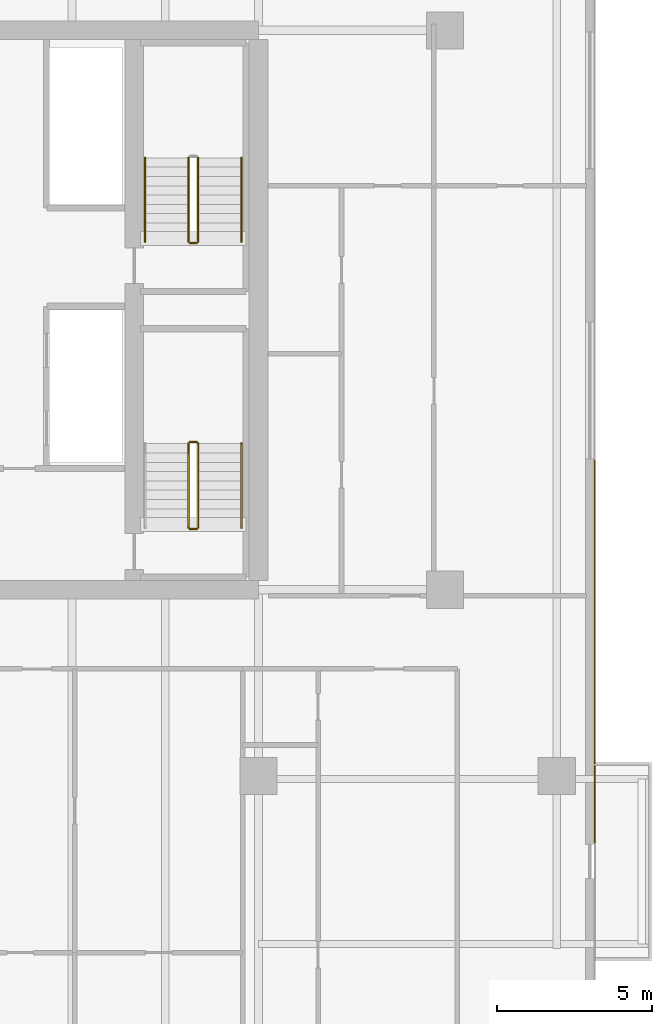
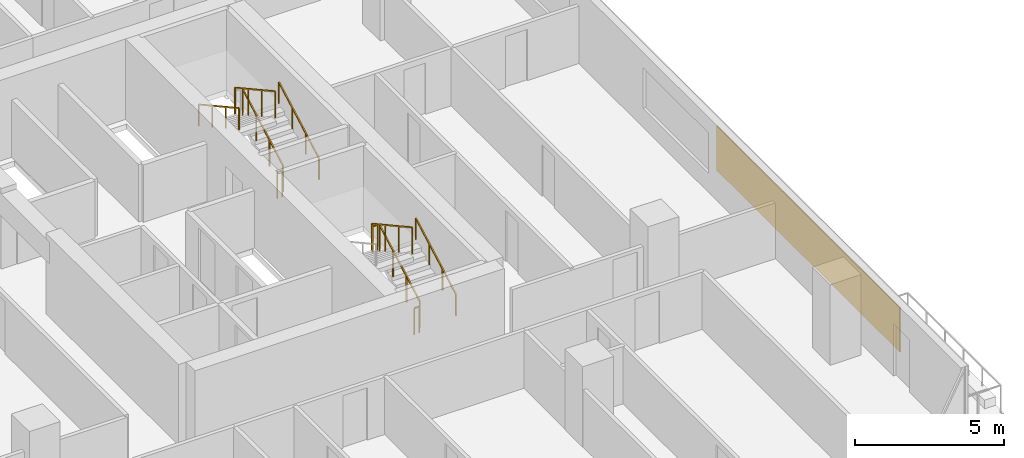
# One storey, part 31 of 33: 10 railings, 1 covering.
"""IFC4 building model written with IfcOpenShell, lengths in metres."""

from ifc_helpers import new_model, si_unit, direction, frame, origin, origin_2d, place, context, subcontext, project, spatial, rectangle, extrude, material, layer, layer_set, type_object, element, save


model = new_model("IFC4")

# Units and contexts
model_context = context("Model", 3, precision=1e-05, world=origin(), true_north=direction((0.0, 1.0)))
body_context = subcontext(model_context, "Body", "Model", "MODEL_VIEW")
ifc_project = project(units=[si_unit("LENGTHUNIT", "METRE"), si_unit("AREAUNIT", "SQUARE_METRE"), si_unit("VOLUMEUNIT", "CUBIC_METRE"), si_unit("PLANEANGLEUNIT", "RADIAN"), si_unit("MASSUNIT", "GRAM", prefix="KILO")], contexts=[model_context])

# Site, building, storey
site_placement = place(None, origin())
site = spatial("IfcSite", under=ifc_project, at=site_placement, CompositionType="ELEMENT")
building_placement = place(site_placement, origin())
building = spatial("IfcBuilding", under=site, at=building_placement, Name="Tanjung Sevakor Pilgrim Tower", CompositionType="ELEMENT")
storey_placement = place(building_placement, frame((0.0, 0.0, 32.340087890625)))
storey = spatial("IfcBuildingStorey", under=building, at=storey_placement, Name="L08", CompositionType="ELEMENT", Elevation=32.340087890625)

# Covering
ifc_material_1 = material(Name="Reconstructed Limestone Cladding", Category="masonry")
ifc_layer = layer(ifc_material_1, 0.044921875)
ifc_layer_set = layer_set([ifc_layer], Name="COV-CLAD-LIMESTONE")
covering_type = type_object("IfcCoveringType", Name="COV-CLAD-LIMESTONE", PredefinedType="CLADDING", material=ifc_layer_set)
covering_placement = place(storey_placement, frame((100.822509765625, 22.60498046875, 0.849853515625), z_axis=(0.0, 0.0, 1.0), x_axis=(0.0, 1.0, 0.0)))
element("IfcCovering", 1, at=covering_placement, inside=storey, type_object=covering_type, Name="L08 Warm Limestone Pier Panel EW-L08-MAIN-7-1", PredefinedType="CLADDING", context=body_context, shape_type="SweptSolid", body=[
    extrude(rectangle(XDim=12.31005859375, YDim=0.044921875, at=origin_2d()), origin(), (0.0, 0.0, 1.0), 1.81005859375),
])

# Railings
ifc_material_2 = material(Name="Steel S355J2", Category="steel")
railing_type_1 = type_object("IfcRailingType", Name="RL-STAIR-GUARD", PredefinedType="GUARDRAIL", material=ifc_material_2)
railing_1_placement = place(storey_placement, frame((88.050048828125, 26.60009765625, 0.164794921875)))
element("IfcRailing", 2, at=railing_1_placement, inside=storey, type_object=railing_type_1, Name="L08 TS-E1 stair guard 1", PredefinedType="GUARDRAIL", context=body_context, shape_type="SweptSolid", body=[
    extrude(rectangle(XDim=0.0479, YDim=0.0479), frame((0.0, 0.0, 1.076171875), z_axis=(0.0, 0.876197507361, 0.481952205197), x_axis=(-1.0, 0.0, 0.0)), (0.0, 0.0, 1.0), 3.08154296875),
    extrude(rectangle(XDim=0.042, YDim=0.042), origin(), (0.0, 0.0, 1.0), 1.052001953125),
    extrude(rectangle(XDim=0.042, YDim=0.042), frame((0.0, 0.89990234375, 0.4951171875)), (0.0, 0.0, 1.0), 1.052001953125),
    extrude(rectangle(XDim=0.042, YDim=0.042), frame((0.0, 1.800048828125, 0.989990234375)), (0.0, 0.0, 1.0), 1.052001953125),
    extrude(rectangle(XDim=0.042, YDim=0.042), frame((0.0, 2.699951171875, 1.485107421875)), (0.0, 0.0, 1.0), 1.052001953125),
])
railing_2_placement = place(storey_placement, frame((88.0, 29.35009765625, 1.64990234375)))
element("IfcRailing", 3, at=railing_2_placement, inside=storey, type_object=railing_type_1, Name="L08 TS-E1 stair guard 2", PredefinedType="GUARDRAIL", context=body_context, shape_type="SweptSolid", body=[
    extrude(rectangle(XDim=0.0479, YDim=0.0479), frame((0.0, 0.0, 1.076171875), z_axis=(-1.0, 0.0, 0.0), x_axis=(0.0, -1.0, 0.0)), (0.0, 0.0, 1.0), 0.199951171875),
    extrude(rectangle(XDim=0.042, YDim=0.042), origin(), (0.0, 0.0, 1.0), 1.052001953125),
    extrude(rectangle(XDim=0.042, YDim=0.042), frame((-0.199951171875, 0.0, 0.0)), (0.0, 0.0, 1.0), 1.052001953125),
])
railing_3_placement = place(storey_placement, frame((87.75, 29.300048828125, 1.81494140625)))
element("IfcRailing", 4, at=railing_3_placement, inside=storey, type_object=railing_type_1, Name="L08 TS-E1 stair guard 3", PredefinedType="GUARDRAIL", context=body_context, shape_type="SweptSolid", body=[
    extrude(rectangle(XDim=0.0479, YDim=0.0479), frame((0.0, 0.0, 1.076171875), z_axis=(0.0, -0.876230963923, 0.481891375584), x_axis=(1.0, 0.0, 0.0)), (0.0, 0.0, 1.0), 3.081298828125),
    extrude(rectangle(XDim=0.042, YDim=0.042), origin(), (0.0, 0.0, 1.0), 1.052001953125),
    extrude(rectangle(XDim=0.042, YDim=0.042), frame((0.0, -0.89990234375, 0.494873046875)), (0.0, 0.0, 1.0), 1.052001953125),
    extrude(rectangle(XDim=0.042, YDim=0.042), frame((0.0, -1.800048828125, 0.989990234375)), (0.0, 0.0, 1.0), 1.052001953125),
    extrude(rectangle(XDim=0.042, YDim=0.042), frame((0.0, -2.699951171875, 1.48486328125)), (0.0, 0.0, 1.0), 1.052001953125),
])
railing_4_placement = place(storey_placement, frame((88.0, 26.550048828125, 0.0)))
element("IfcRailing", 5, at=railing_4_placement, inside=storey, type_object=railing_type_1, Name="L08 TS-E1 stair guard 4", PredefinedType="GUARDRAIL", context=body_context, shape_type="SweptSolid", body=[
    extrude(rectangle(XDim=0.0479, YDim=0.0479), frame((0.0, 0.0, 1.076171875), z_axis=(-1.0, 0.0, 0.0), x_axis=(0.0, -1.0, 0.0)), (0.0, 0.0, 1.0), 0.199951171875),
    extrude(rectangle(XDim=0.042, YDim=0.042), origin(), (0.0, 0.0, 1.0), 1.052001953125),
    extrude(rectangle(XDim=0.042, YDim=0.042), frame((-0.199951171875, 0.0, 0.0)), (0.0, 0.0, 1.0), 1.052001953125),
])
railing_5_placement = place(storey_placement, frame((88.050048828125, 35.800048828125, 0.164794921875)))
element("IfcRailing", 6, at=railing_5_placement, inside=storey, type_object=railing_type_1, Name="L08 TS-E2 stair guard 1", PredefinedType="GUARDRAIL", context=body_context, shape_type="SweptSolid", body=[
    extrude(rectangle(XDim=0.0479, YDim=0.0479), frame((0.0, 0.0, 1.076171875), z_axis=(0.0, 0.876197507361, 0.481952205197), x_axis=(-1.0, 0.0, 0.0)), (0.0, 0.0, 1.0), 3.08154296875),
    extrude(rectangle(XDim=0.042, YDim=0.042), origin(), (0.0, 0.0, 1.0), 1.052001953125),
    extrude(rectangle(XDim=0.042, YDim=0.042), frame((0.0, 0.89990234375, 0.4951171875)), (0.0, 0.0, 1.0), 1.052001953125),
    extrude(rectangle(XDim=0.042, YDim=0.042), frame((0.0, 1.800048828125, 0.989990234375)), (0.0, 0.0, 1.0), 1.052001953125),
    extrude(rectangle(XDim=0.042, YDim=0.042), frame((0.0, 2.699951171875, 1.485107421875)), (0.0, 0.0, 1.0), 1.052001953125),
])
railing_6_placement = place(storey_placement, frame((87.75, 38.5, 1.81494140625)))
element("IfcRailing", 7, at=railing_6_placement, inside=storey, type_object=railing_type_1, Name="L08 TS-E2 stair guard 3", PredefinedType="GUARDRAIL", context=body_context, shape_type="SweptSolid", body=[
    extrude(rectangle(XDim=0.0479, YDim=0.0479), frame((0.0, 0.0, 1.076171875), z_axis=(0.0, -0.876230963923, 0.481891375584), x_axis=(1.0, 0.0, 0.0)), (0.0, 0.0, 1.0), 3.081298828125),
    extrude(rectangle(XDim=0.042, YDim=0.042), origin(), (0.0, 0.0, 1.0), 1.052001953125),
    extrude(rectangle(XDim=0.042, YDim=0.042), frame((0.0, -0.89990234375, 0.494873046875)), (0.0, 0.0, 1.0), 1.052001953125),
    extrude(rectangle(XDim=0.042, YDim=0.042), frame((0.0, -1.800048828125, 0.989990234375)), (0.0, 0.0, 1.0), 1.052001953125),
    extrude(rectangle(XDim=0.042, YDim=0.042), frame((0.0, -2.699951171875, 1.48486328125)), (0.0, 0.0, 1.0), 1.052001953125),
])
railing_7_placement = place(storey_placement, frame((88.0, 35.75, 0.0)))
element("IfcRailing", 8, at=railing_7_placement, inside=storey, type_object=railing_type_1, Name="L08 TS-E2 stair guard 4", PredefinedType="GUARDRAIL", context=body_context, shape_type="SweptSolid", body=[
    extrude(rectangle(XDim=0.0479, YDim=0.0479), frame((0.0, 0.0, 1.076171875), z_axis=(-1.0, 0.0, 0.0), x_axis=(0.0, -1.0, 0.0)), (0.0, 0.0, 1.0), 0.199951171875),
    extrude(rectangle(XDim=0.042, YDim=0.042), origin(), (0.0, 0.0, 1.0), 1.052001953125),
    extrude(rectangle(XDim=0.042, YDim=0.042), frame((-0.199951171875, 0.0, 0.0)), (0.0, 0.0, 1.0), 1.052001953125),
])
ifc_material_3 = material(Name="Steel S355J2", Category="steel")
railing_type_2 = type_object("IfcRailingType", Name="RL-STAIR-HAND", PredefinedType="HANDRAIL", material=ifc_material_3)
for number, where, name in (
    (9, (89.449951171875, 26.60009765625, 0.164794921875), "L08 TS-E1 stair handrail 1"),
    (10, (89.449951171875, 35.800048828125, 0.164794921875), "L08 TS-E2 stair handrail 1"),
):
    element("IfcRailing", number, at=place(storey_placement, frame(where)), inside=storey, type_object=railing_type_2, Name=name, PredefinedType="HANDRAIL", context=body_context, shape_type="SweptSolid", body=[
        extrude(rectangle(XDim=0.0479, YDim=0.0479), frame((0.0, 0.0, 0.8759765625), z_axis=(0.0, 0.876197507361, 0.481952205197), x_axis=(-1.0, 0.0, 0.0)), (0.0, 0.0, 1.0), 3.08154296875),
        extrude(rectangle(XDim=0.042, YDim=0.042), origin(), (0.0, 0.0, 1.0), 0.851806640625),
        extrude(rectangle(XDim=0.042, YDim=0.042), frame((0.0, 0.89990234375, 0.4951171875)), (0.0, 0.0, 1.0), 0.851806640625),
        extrude(rectangle(XDim=0.042, YDim=0.042), frame((0.0, 1.800048828125, 0.989990234375)), (0.0, 0.0, 1.0), 0.851806640625),
        extrude(rectangle(XDim=0.042, YDim=0.042), frame((0.0, 2.699951171875, 1.485107421875)), (0.0, 0.0, 1.0), 0.851806640625),
    ])
railing_8_placement = place(storey_placement, frame((86.35009765625, 38.5, 1.81494140625)))
element("IfcRailing", 11, at=railing_8_placement, inside=storey, type_object=railing_type_2, Name="L08 TS-E2 stair handrail 2", PredefinedType="HANDRAIL", context=body_context, shape_type="SweptSolid", body=[
    extrude(rectangle(XDim=0.0479, YDim=0.0479), frame((0.0, 0.0, 0.8759765625), z_axis=(0.0, -0.876230963923, 0.481891375584), x_axis=(1.0, 0.0, 0.0)), (0.0, 0.0, 1.0), 3.081298828125),
    extrude(rectangle(XDim=0.042, YDim=0.042), origin(), (0.0, 0.0, 1.0), 0.851806640625),
    extrude(rectangle(XDim=0.042, YDim=0.042), frame((0.0, -0.89990234375, 0.494873046875)), (0.0, 0.0, 1.0), 0.851806640625),
    extrude(rectangle(XDim=0.042, YDim=0.042), frame((0.0, -1.800048828125, 0.989990234375)), (0.0, 0.0, 1.0), 0.851806640625),
    extrude(rectangle(XDim=0.042, YDim=0.042), frame((0.0, -2.699951171875, 1.48486328125)), (0.0, 0.0, 1.0), 0.851806640625),
])

save(model, "model.ifc")
